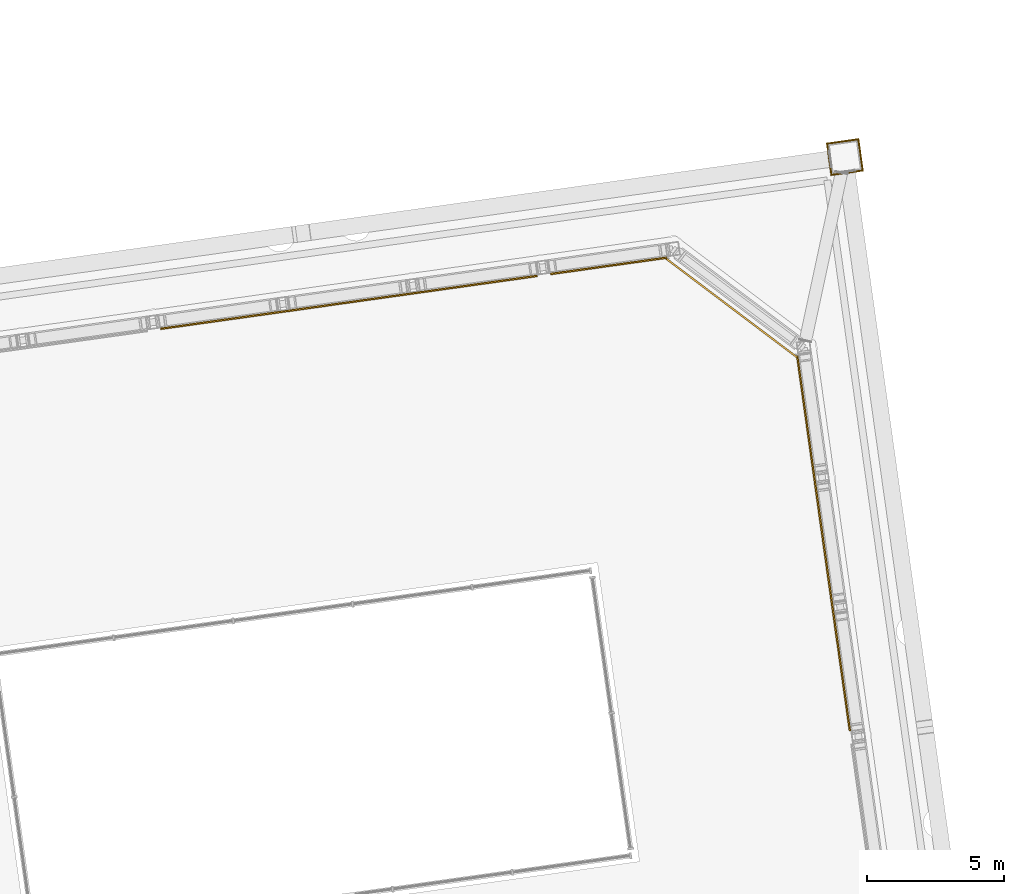
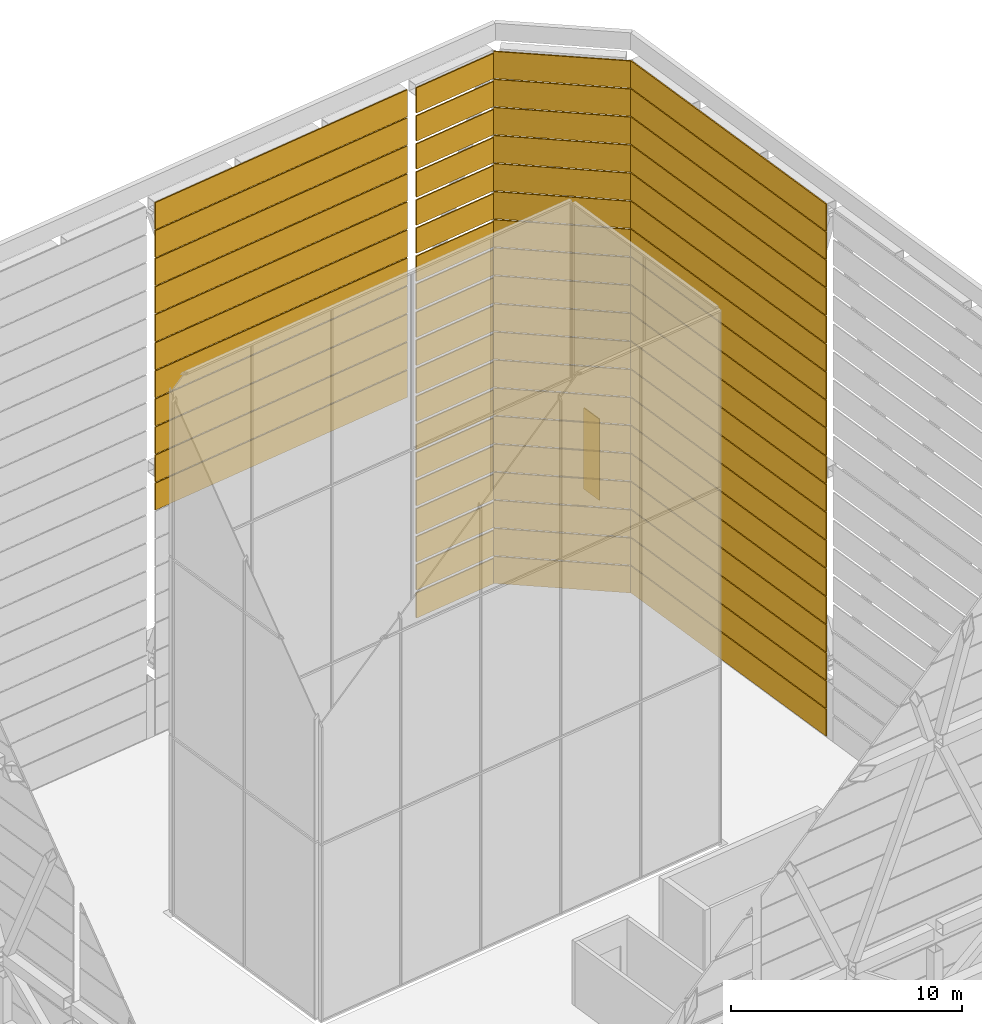
# One storey, part 45 of 45: 72 coverings.
"""IFC4 building model written with IfcOpenShell, lengths in metres."""

from ifc_helpers import new_model, si_unit, direction, frame, origin, origin_2d, place, context, subcontext, project, spatial, rectangle, extrude, material, layer, layer_set, type_object, element, save


model = new_model("IFC4")

# Units and contexts
model_context = context("Model", 3, precision=1e-05, world=origin(), true_north=direction((0.0, 1.0)))
body_context = subcontext(model_context, "Body", "Model", "MODEL_VIEW")
ifc_project = project(units=[si_unit("LENGTHUNIT", "METRE"), si_unit("AREAUNIT", "SQUARE_METRE"), si_unit("VOLUMEUNIT", "CUBIC_METRE"), si_unit("PLANEANGLEUNIT", "RADIAN"), si_unit("MASSUNIT", "GRAM", prefix="KILO")], contexts=[model_context])

# Site, building, storey
site_placement = place(None, origin())
site = spatial("IfcSite", under=ifc_project, at=site_placement, CompositionType="ELEMENT")
building_placement = place(site_placement, origin())
building = spatial("IfcBuilding", under=site, at=building_placement, Name="Mirante Cascada Hotel Towers", CompositionType="ELEMENT")
storey_placement = place(building_placement, frame((0.0, 0.0, 269.8)))
storey = spatial("IfcBuildingStorey", under=building, at=storey_placement, Name="Roof garden", CompositionType="ELEMENT", Elevation=269.8)

# Coverings
ifc_material_1 = material(Name="Anodised aluminium cladding", Category="aluminium")
ifc_layer_1 = layer(ifc_material_1, 0.05)
ifc_layer_set_1 = layer_set([ifc_layer_1], Name="Column cladding plate 50")
covering_type_1 = type_object("IfcCoveringType", Name="Column cladding plate 50", PredefinedType="CLADDING", material=ifc_layer_set_1)
for number, where, z_axis, x_axis, name in (
    (1, (56.3645, 22.9117, 0.0), (0.0, 0.0, 1.0), (0.9902681, 0.1391731, 0.0), "Mega column cladding T2 3.1"),
    (2, (55.2257, 22.7516, 0.0), (0.0, 0.0, 1.0), (0.9902681, 0.1391731, 0.0), "Mega column cladding T2 3.2"),
):
    element("IfcCovering", number, at=place(storey_placement, frame(where, z_axis=z_axis, x_axis=x_axis)), inside=storey, type_object=covering_type_1, Name=name, PredefinedType="CLADDING", context=body_context, shape_type="SweptSolid", body=[
        extrude(rectangle(XDim=0.05, YDim=1.1, at=origin_2d()), origin(), (0.0, 0.0, 1.0), 4.3),
    ])
for number, where, z_axis, x_axis, name in (
    (3, (55.7151, 23.4011, 0.0), (0.0, 0.0, 1.0), (0.9902681, 0.1391731, 0.0), "Mega column cladding T2 3.3"),
    (4, (55.8752, 22.2622, 0.0), (0.0, 0.0, 1.0), (0.9902681, 0.1391731, 0.0), "Mega column cladding T2 3.4"),
):
    element("IfcCovering", number, at=place(storey_placement, frame(where, z_axis=z_axis, x_axis=x_axis)), inside=storey, type_object=covering_type_1, Name=name, PredefinedType="CLADDING", context=body_context, shape_type="SweptSolid", body=[
        extrude(rectangle(XDim=1.2, YDim=0.05, at=origin_2d()), origin(), (0.0, 0.0, 1.0), 4.3),
    ])
ifc_material_2 = material(Name="Anodised aluminium louvre blade", Category="aluminium")
ifc_layer_2 = layer(ifc_material_2, 0.06)
ifc_layer_set_2 = layer_set([ifc_layer_2], Name="Crown LOUVRE blade 300x60")
covering_type_2 = type_object("IfcCoveringType", Name="Crown LOUVRE blade 300x60", PredefinedType="USERDEFINED", material=ifc_layer_set_2)
for number, where, z_axis, x_axis, name in (
    (5, (47.1833, 18.8645, 0.07), (0.0, 0.0, 1.0), (0.9902681, 0.1391731, 0.0), "LOUVRE T2 run 7 row 1"),
    (6, (47.1833, 18.8645, 1.5542), (0.0, 0.0, 1.0), (0.9902681, 0.1391731, 0.0), "LOUVRE T2 run 7 row 2"),
    (7, (47.1833, 18.8645, 3.0384), (0.0, 0.0, 1.0), (0.9902681, 0.1391731, 0.0), "LOUVRE T2 run 7 row 3"),
    (8, (47.1833, 18.8645, 4.5226), (0.0, 0.0, 1.0), (0.9902681, 0.1391731, 0.0), "LOUVRE T2 run 7 row 4"),
    (9, (47.1833, 18.8645, 6.0068), (0.0, 0.0, 1.0), (0.9902681, 0.1391731, 0.0), "LOUVRE T2 run 7 row 5"),
    (10, (47.1833, 18.8645, 7.491), (0.0, 0.0, 1.0), (0.9902681, 0.1391731, 0.0), "LOUVRE T2 run 7 row 6"),
    (11, (47.1833, 18.8645, 8.9753), (0.0, 0.0, 1.0), (0.9902681, 0.1391731, 0.0), "LOUVRE T2 run 7 row 7"),
    (12, (47.1833, 18.8645, 10.4595), (0.0, 0.0, 1.0), (0.9902681, 0.1391731, 0.0), "LOUVRE T2 run 7 row 8"),
    (13, (47.1833, 18.8645, 11.9437), (0.0, 0.0, 1.0), (0.9902681, 0.1391731, 0.0), "LOUVRE T2 run 7 row 9"),
    (14, (47.1833, 18.8645, 13.4279), (0.0, 0.0, 1.0), (0.9902681, 0.1391731, 0.0), "LOUVRE T2 run 7 row 10"),
    (15, (47.1833, 18.8645, 14.9121), (0.0, 0.0, 1.0), (0.9902681, 0.1391731, 0.0), "LOUVRE T2 run 7 row 11"),
    (16, (47.1833, 18.8645, 16.3963), (0.0, 0.0, 1.0), (0.9902681, 0.1391731, 0.0), "LOUVRE T2 run 7 row 12"),
    (17, (47.1833, 18.8645, 17.8805), (0.0, 0.0, 1.0), (0.9902681, 0.1391731, 0.0), "LOUVRE T2 run 7 row 13"),
    (18, (47.1833, 18.8645, 19.3647), (0.0, 0.0, 1.0), (0.9902681, 0.1391731, 0.0), "LOUVRE T2 run 7 row 14"),
    (19, (47.1833, 18.8645, 20.8489), (0.0, 0.0, 1.0), (0.9902681, 0.1391731, 0.0), "LOUVRE T2 run 7 row 15"),
    (20, (47.1833, 18.8645, 22.3332), (0.0, 0.0, 1.0), (0.9902681, 0.1391731, 0.0), "LOUVRE T2 run 7 row 16"),
    (21, (47.1833, 18.8645, 23.8174), (0.0, 0.0, 1.0), (0.9902681, 0.1391731, 0.0), "LOUVRE T2 run 7 row 17"),
    (22, (47.1833, 18.8645, 25.3016), (0.0, 0.0, 1.0), (0.9902681, 0.1391731, 0.0), "LOUVRE T2 run 7 row 18"),
    (23, (47.1833, 18.8645, 26.7858), (0.0, 0.0, 1.0), (0.9902681, 0.1391731, 0.0), "LOUVRE T2 run 7 row 19"),
):
    element("IfcCovering", number, at=place(storey_placement, frame(where, z_axis=z_axis, x_axis=x_axis)), inside=storey, type_object=covering_type_2, Name=name, ObjectType="LOUVRE", PredefinedType="USERDEFINED", context=body_context, shape_type="SweptSolid", body=[
        extrude(rectangle(XDim=4.2875, YDim=0.06, at=origin_2d()), origin(), (0.0, 0.0, 1.0), 1.3358),
    ])
ifc_material_3 = material(Name="Perforated stainless steel screen", Category="steel")
ifc_layer_3 = layer(ifc_material_3, 0.06)
ifc_layer_set_3 = layer_set([ifc_layer_3], Name="Perforated metal SCREEN panel 4500x60")
covering_type_3 = type_object("IfcCoveringType", Name="Perforated metal SCREEN panel 4500x60", PredefinedType="USERDEFINED", material=ifc_layer_set_3)
for number, where, z_axis, x_axis, name in (
    (24, (37.7015, 17.5319, 11.9737), (0.0, 0.0, 1.0), (0.9902681, 0.1391731, 0.0), "SCREEN T2 run 6 row 9"),
    (25, (37.7015, 17.5319, 13.4579), (0.0, 0.0, 1.0), (0.9902681, 0.1391731, 0.0), "SCREEN T2 run 6 row 10"),
    (26, (37.7015, 17.5319, 14.9421), (0.0, 0.0, 1.0), (0.9902681, 0.1391731, 0.0), "SCREEN T2 run 6 row 11"),
    (27, (37.7015, 17.5319, 16.4263), (0.0, 0.0, 1.0), (0.9902681, 0.1391731, 0.0), "SCREEN T2 run 6 row 12"),
    (28, (37.7015, 17.5319, 17.9105), (0.0, 0.0, 1.0), (0.9902681, 0.1391731, 0.0), "SCREEN T2 run 6 row 13"),
    (29, (37.7015, 17.5319, 19.3947), (0.0, 0.0, 1.0), (0.9902681, 0.1391731, 0.0), "SCREEN T2 run 6 row 14"),
    (30, (37.7015, 17.5319, 20.879), (0.0, 0.0, 1.0), (0.9902681, 0.1391731, 0.0), "SCREEN T2 run 6 row 15"),
    (31, (37.7015, 17.5319, 22.3632), (0.0, 0.0, 1.0), (0.9902681, 0.1391731, 0.0), "SCREEN T2 run 6 row 16"),
    (32, (37.7015, 17.5319, 23.8474), (0.0, 0.0, 1.0), (0.9902681, 0.1391731, 0.0), "SCREEN T2 run 6 row 17"),
    (33, (37.7015, 17.5319, 25.3316), (0.0, 0.0, 1.0), (0.9902681, 0.1391731, 0.0), "SCREEN T2 run 6 row 18"),
    (34, (37.7015, 17.5319, 26.8158), (0.0, 0.0, 1.0), (0.9902681, 0.1391731, 0.0), "SCREEN T2 run 6 row 19"),
):
    element("IfcCovering", number, at=place(storey_placement, frame(where, z_axis=z_axis, x_axis=x_axis)), inside=storey, type_object=covering_type_3, Name=name, ObjectType="SCREEN", PredefinedType="USERDEFINED", context=body_context, shape_type="SweptSolid", body=[
        extrude(rectangle(XDim=13.8625, YDim=0.06, at=origin_2d()), origin(), (0.0, 0.0, 1.0), 1.4242),
    ])
for number, where, z_axis, x_axis, name in (
    (35, (51.6523, 17.3339, 0.1), (0.0, 0.0, 1.0), (0.7986355, -0.601815, 0.0), "SCREEN T2 run 8 row 1"),
    (36, (51.6523, 17.3339, 1.5842), (0.0, 0.0, 1.0), (0.7986355, -0.601815, 0.0), "SCREEN T2 run 8 row 2"),
    (37, (51.6523, 17.3339, 3.0684), (0.0, 0.0, 1.0), (0.7986355, -0.601815, 0.0), "SCREEN T2 run 8 row 3"),
    (38, (51.6523, 17.3339, 4.5526), (0.0, 0.0, 1.0), (0.7986355, -0.601815, 0.0), "SCREEN T2 run 8 row 4"),
    (39, (51.6523, 17.3339, 6.0368), (0.0, 0.0, 1.0), (0.7986355, -0.601815, 0.0), "SCREEN T2 run 8 row 5"),
    (40, (51.6523, 17.3339, 7.5211), (0.0, 0.0, 1.0), (0.7986355, -0.601815, 0.0), "SCREEN T2 run 8 row 6"),
    (41, (51.6523, 17.3339, 9.0053), (0.0, 0.0, 1.0), (0.7986355, -0.601815, 0.0), "SCREEN T2 run 8 row 7"),
    (42, (51.6523, 17.3339, 10.4895), (0.0, 0.0, 1.0), (0.7986355, -0.601815, 0.0), "SCREEN T2 run 8 row 8"),
    (43, (51.6523, 17.3339, 11.9737), (0.0, 0.0, 1.0), (0.7986355, -0.601815, 0.0), "SCREEN T2 run 8 row 9"),
    (44, (51.6523, 17.3339, 13.4579), (0.0, 0.0, 1.0), (0.7986355, -0.601815, 0.0), "SCREEN T2 run 8 row 10"),
    (45, (51.6523, 17.3339, 14.9421), (0.0, 0.0, 1.0), (0.7986355, -0.601815, 0.0), "SCREEN T2 run 8 row 11"),
    (46, (51.6523, 17.3339, 16.4263), (0.0, 0.0, 1.0), (0.7986355, -0.601815, 0.0), "SCREEN T2 run 8 row 12"),
    (47, (51.6523, 17.3339, 17.9105), (0.0, 0.0, 1.0), (0.7986355, -0.601815, 0.0), "SCREEN T2 run 8 row 13"),
    (48, (51.6523, 17.3339, 19.3947), (0.0, 0.0, 1.0), (0.7986355, -0.601815, 0.0), "SCREEN T2 run 8 row 14"),
    (49, (51.6523, 17.3339, 20.879), (0.0, 0.0, 1.0), (0.7986355, -0.601815, 0.0), "SCREEN T2 run 8 row 15"),
    (50, (51.6523, 17.3339, 22.3632), (0.0, 0.0, 1.0), (0.7986355, -0.601815, 0.0), "SCREEN T2 run 8 row 16"),
    (51, (51.6523, 17.3339, 23.8474), (0.0, 0.0, 1.0), (0.7986355, -0.601815, 0.0), "SCREEN T2 run 8 row 17"),
    (52, (51.6523, 17.3339, 25.3316), (0.0, 0.0, 1.0), (0.7986355, -0.601815, 0.0), "SCREEN T2 run 8 row 18"),
    (53, (51.6523, 17.3339, 26.8158), (0.0, 0.0, 1.0), (0.7986355, -0.601815, 0.0), "SCREEN T2 run 8 row 19"),
):
    element("IfcCovering", number, at=place(storey_placement, frame(where, z_axis=z_axis, x_axis=x_axis)), inside=storey, type_object=covering_type_3, Name=name, ObjectType="SCREEN", PredefinedType="USERDEFINED", context=body_context, shape_type="SweptSolid", body=[
        extrude(rectangle(XDim=5.9912, YDim=0.06, at=origin_2d()), origin(), (0.0, 0.0, 1.0), 1.4242),
    ])
for number, where, z_axis, x_axis, name in (
    (54, (55.0183, 8.7432, 0.1), (0.0, 0.0, 1.0), (0.1391731, -0.9902681, 0.0), "SCREEN T2 run 9 row 1"),
    (55, (55.0183, 8.7432, 1.5842), (0.0, 0.0, 1.0), (0.1391731, -0.9902681, 0.0), "SCREEN T2 run 9 row 2"),
    (56, (55.0183, 8.7432, 3.0684), (0.0, 0.0, 1.0), (0.1391731, -0.9902681, 0.0), "SCREEN T2 run 9 row 3"),
    (57, (55.0183, 8.7432, 4.5526), (0.0, 0.0, 1.0), (0.1391731, -0.9902681, 0.0), "SCREEN T2 run 9 row 4"),
    (58, (55.0183, 8.7432, 6.0368), (0.0, 0.0, 1.0), (0.1391731, -0.9902681, 0.0), "SCREEN T2 run 9 row 5"),
    (59, (55.0183, 8.7432, 7.5211), (0.0, 0.0, 1.0), (0.1391731, -0.9902681, 0.0), "SCREEN T2 run 9 row 6"),
    (60, (55.0183, 8.7432, 9.0053), (0.0, 0.0, 1.0), (0.1391731, -0.9902681, 0.0), "SCREEN T2 run 9 row 7"),
    (61, (55.0183, 8.7432, 10.4895), (0.0, 0.0, 1.0), (0.1391731, -0.9902681, 0.0), "SCREEN T2 run 9 row 8"),
    (62, (55.0183, 8.7432, 11.9737), (0.0, 0.0, 1.0), (0.1391731, -0.9902681, 0.0), "SCREEN T2 run 9 row 9"),
    (63, (55.0183, 8.7432, 13.4579), (0.0, 0.0, 1.0), (0.1391731, -0.9902681, 0.0), "SCREEN T2 run 9 row 10"),
    (64, (55.0183, 8.7432, 14.9421), (0.0, 0.0, 1.0), (0.1391731, -0.9902681, 0.0), "SCREEN T2 run 9 row 11"),
    (65, (55.0183, 8.7432, 16.4263), (0.0, 0.0, 1.0), (0.1391731, -0.9902681, 0.0), "SCREEN T2 run 9 row 12"),
    (66, (55.0183, 8.7432, 17.9105), (0.0, 0.0, 1.0), (0.1391731, -0.9902681, 0.0), "SCREEN T2 run 9 row 13"),
    (67, (55.0183, 8.7432, 19.3947), (0.0, 0.0, 1.0), (0.1391731, -0.9902681, 0.0), "SCREEN T2 run 9 row 14"),
    (68, (55.0183, 8.7432, 20.879), (0.0, 0.0, 1.0), (0.1391731, -0.9902681, 0.0), "SCREEN T2 run 9 row 15"),
    (69, (55.0183, 8.7432, 22.3632), (0.0, 0.0, 1.0), (0.1391731, -0.9902681, 0.0), "SCREEN T2 run 9 row 16"),
    (70, (55.0183, 8.7432, 23.8474), (0.0, 0.0, 1.0), (0.1391731, -0.9902681, 0.0), "SCREEN T2 run 9 row 17"),
    (71, (55.0183, 8.7432, 25.3316), (0.0, 0.0, 1.0), (0.1391731, -0.9902681, 0.0), "SCREEN T2 run 9 row 18"),
    (72, (55.0183, 8.7432, 26.8158), (0.0, 0.0, 1.0), (0.1391731, -0.9902681, 0.0), "SCREEN T2 run 9 row 19"),
):
    element("IfcCovering", number, at=place(storey_placement, frame(where, z_axis=z_axis, x_axis=x_axis)), inside=storey, type_object=covering_type_3, Name=name, ObjectType="SCREEN", PredefinedType="USERDEFINED", context=body_context, shape_type="SweptSolid", body=[
        extrude(rectangle(XDim=13.8136, YDim=0.06, at=origin_2d()), origin(), (0.0, 0.0, 1.0), 1.4242),
    ])

save(model, "model.ifc")
